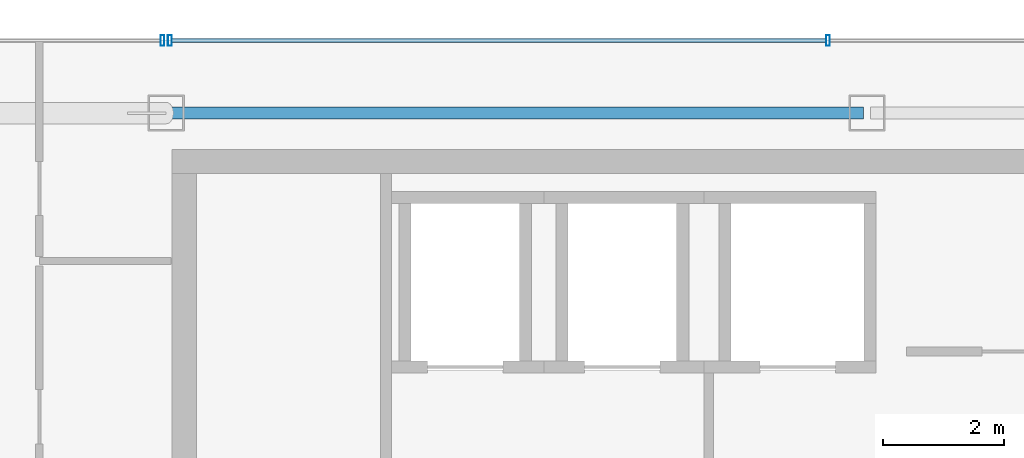
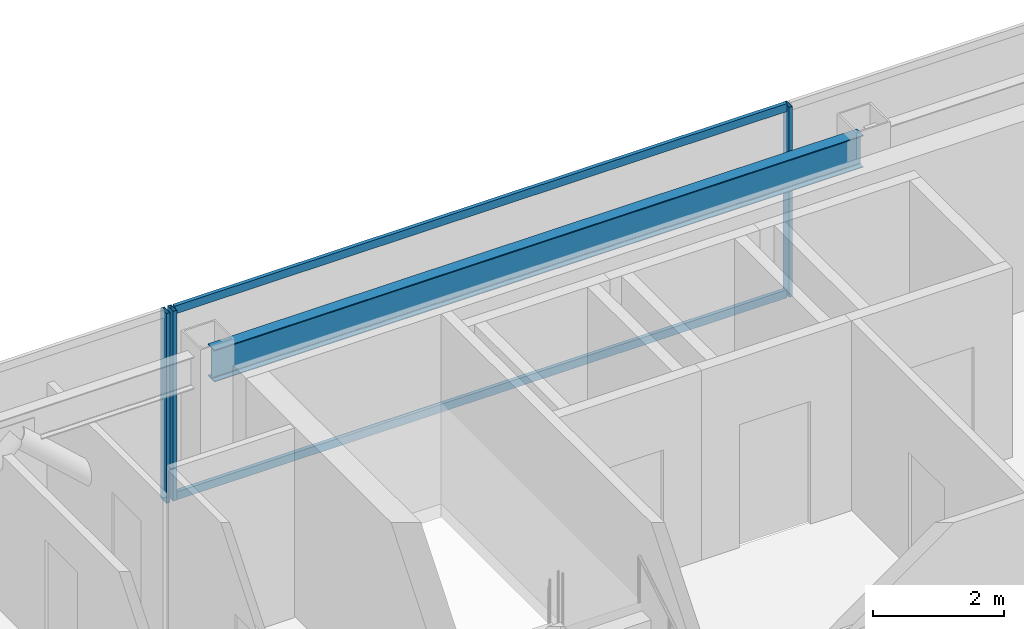
# One storey, part 9 of 22: 5 members, 1 beam, 2 elements without a shape of their own.
"""IFC4 building model written with IfcOpenShell, lengths in metres."""

from ifc_helpers import new_model, si_unit, direction, frame, origin, origin_2d, place, context, subcontext, project, spatial, hollow_rectangle, i_section, extrude, material, material_profile, profile_set, type_object, element, aggregate, save


model = new_model("IFC4")

# Units and contexts
model_context = context("Model", 3, precision=1e-05, world=origin(), true_north=direction((0.0, 1.0)))
body_context = subcontext(model_context, "Body", "Model", "MODEL_VIEW")
ifc_project = project(units=[si_unit("LENGTHUNIT", "METRE"), si_unit("AREAUNIT", "SQUARE_METRE"), si_unit("VOLUMEUNIT", "CUBIC_METRE"), si_unit("PLANEANGLEUNIT", "RADIAN"), si_unit("MASSUNIT", "GRAM", prefix="KILO")], contexts=[model_context])

# Site, building, storey
site_placement = place(None, origin())
site = spatial("IfcSite", under=ifc_project, at=site_placement, CompositionType="ELEMENT")
building_placement = place(site_placement, origin())
building = spatial("IfcBuilding", under=site, at=building_placement, Name="Saevonmaru Cultural Tower", CompositionType="ELEMENT")
storey_placement = place(building_placement, frame((0.0, 0.0, 287.60009765625)))
storey = spatial("IfcBuildingStorey", under=building, at=storey_placement, Name="L68", CompositionType="ELEMENT", Elevation=287.60009765625)

# Beam
ifc_material_1 = material(Name="Steel SM355", Category="steel")
ifc_material_profile_1 = material_profile(ifc_material_1, i_section(OverallWidth=0.199951171875, OverallDepth=0.60009765625, WebThickness=0.010986328125, FlangeThickness=0.01708984375, FilletRadius=0.02197265625, at=origin_2d()), Name="H-600x200x11x17")
ifc_profile_set_1 = profile_set([ifc_material_profile_1], Name="Steel SM355")
beam_type = type_object("IfcBeamType", Name="BM-SP-H600", PredefinedType="SPANDREL", material=ifc_profile_set_1)
beam_placement = place(storey_placement, frame((13.659912109375, 54.800048828125, 3.25), z_axis=(1.0, 0.0, 0.0), x_axis=(0.0, 1.0, 0.0)))
element("IfcBeam", 1, at=beam_placement, inside=storey, type_object=beam_type, Name="L68 North Spine Girder 2", PredefinedType="SPANDREL", context=body_context, shape_type="SweptSolid", body=[
    extrude(i_section(OverallWidth=0.199951171875, OverallDepth=0.60009765625, WebThickness=0.010986328125, FlangeThickness=0.01708984375, FilletRadius=0.02197265625, at=origin_2d()), origin(), (0.0, 0.0, 1.0), 11.47998046875),
])

# Curtain wall, members
ifc_material_2 = material(Name="Satin Bronze Anodised Aluminium", Category="aluminium")
curtain_wall_type = type_object("IfcCurtainWallType", Name="CW-TYP-B", PredefinedType="NOTDEFINED", material=ifc_material_2)
curtain_wall_1_placement = place(storey_placement, origin())
curtain_wall_1 = element("IfcCurtainWall", 2, at=curtain_wall_1_placement, inside=storey, type_object=curtain_wall_type, Name="L68 North Spine Unitised Curtain Wall E10B", PredefinedType="NOTDEFINED")
ifc_material_profile_2 = material_profile(ifc_material_2, hollow_rectangle(XDim=0.06494140625, YDim=0.179931640625, WallThickness=0.00390625, at=origin_2d()), Name="ALU-MULL-180x65x4")
ifc_profile_set_2 = profile_set([ifc_material_profile_2], Name="Satin Bronze Anodised Aluminium")
member_type_1 = type_object("IfcMemberType", Name="ML-CW-180x65", PredefinedType="MULLION", material=ifc_profile_set_2)
member_1_placement = place(storey_placement, frame((24.55322265625, 56.0, 0.0), z_axis=(0.0, 0.0, 1.0), x_axis=(-1.0, 0.0, 0.0)))
member_1 = element("IfcMember", 3, at=member_1_placement, type_object=member_type_1, Name="CW-TW-L68-E10B mullion 3", PredefinedType="MULLION", context=body_context, shape_type="SweptSolid", body=[
    extrude(hollow_rectangle(XDim=0.06494140625, YDim=0.179931640625, WallThickness=0.00390625, at=origin_2d()), origin(), (0.0, 0.0, 1.0), 3.5498046875),
])
member_2_placement = place(storey_placement, frame((13.659912109375, 56.0, 0.0), z_axis=(0.0, 0.0, 1.0), x_axis=(-1.0, 0.0, 0.0)))
member_2 = element("IfcMember", 4, at=member_2_placement, type_object=member_type_1, Name="CW-TW-L68-E10B mullion 4", PredefinedType="MULLION", context=body_context, shape_type="SweptSolid", body=[
    extrude(hollow_rectangle(XDim=0.06494140625, YDim=0.179931640625, WallThickness=0.00390625, at=origin_2d()), origin(), (0.0, 0.0, 1.0), 3.5498046875),
])

# Curtain wall, member
curtain_wall_2_placement = place(storey_placement, origin())
curtain_wall_2 = element("IfcCurtainWall", 5, at=curtain_wall_2_placement, inside=storey, type_object=curtain_wall_type, Name="L68 West Braced Bay Spandrel Curtain Wall E10C", PredefinedType="NOTDEFINED")
member_3_placement = place(storey_placement, frame((13.5400390625, 56.0, 0.0), z_axis=(0.0, 0.0, 1.0), x_axis=(-1.0, 0.0, 0.0)))
member_3 = element("IfcMember", 6, at=member_3_placement, type_object=member_type_1, Name="CW-TW-L68-E10C mullion 1", PredefinedType="MULLION", context=body_context, shape_type="SweptSolid", body=[
    extrude(hollow_rectangle(XDim=0.06494140625, YDim=0.179931640625, WallThickness=0.00390625, at=origin_2d()), origin(), (0.0, 0.0, 1.0), 3.5498046875),
])
aggregate(curtain_wall_2, [member_3])

# Member
ifc_material_profile_3 = material_profile(ifc_material_2, hollow_rectangle(XDim=0.06494140625, YDim=0.14990234375, WallThickness=0.00390625, at=origin_2d()), Name="ALU-TRAN-150x65x4")
ifc_profile_set_3 = profile_set([ifc_material_profile_3], Name="Satin Bronze Anodised Aluminium")
member_type_2 = type_object("IfcMemberType", Name="TR-CW-150x65", PredefinedType="USERDEFINED", material=ifc_profile_set_3)
member_4_placement = place(storey_placement, frame((24.520751953125, 56.0, 0.032470703125), z_axis=(-1.0, 0.0, 0.0), x_axis=(0.0, -1.0, 0.0)))
member_4 = element("IfcMember", 7, at=member_4_placement, type_object=member_type_2, Name="CW-TW-L68-E10B transom 3.1", ObjectType="TRANSOM", PredefinedType="USERDEFINED", context=body_context, shape_type="SweptSolid", body=[
    extrude(hollow_rectangle(XDim=0.06494140625, YDim=0.14990234375, WallThickness=0.00390625, at=origin_2d()), origin(), (0.0, 0.0, 1.0), 10.828369140625),
])

member_5_placement = place(storey_placement, frame((24.520751953125, 56.0, 3.517333984375), z_axis=(-1.0, 0.0, 0.0), x_axis=(0.0, -1.0, 0.0)))
member_5 = element("IfcMember", 8, at=member_5_placement, type_object=member_type_2, Name="CW-TW-L68-E10B transom 3.2", ObjectType="TRANSOM", PredefinedType="USERDEFINED", context=body_context, shape_type="SweptSolid", body=[
    extrude(hollow_rectangle(XDim=0.06494140625, YDim=0.14990234375, WallThickness=0.00390625, at=origin_2d()), origin(), (0.0, 0.0, 1.0), 10.828369140625),
])

aggregate(curtain_wall_1, [member_1, member_2, member_4, member_5])

save(model, "model.ifc")
